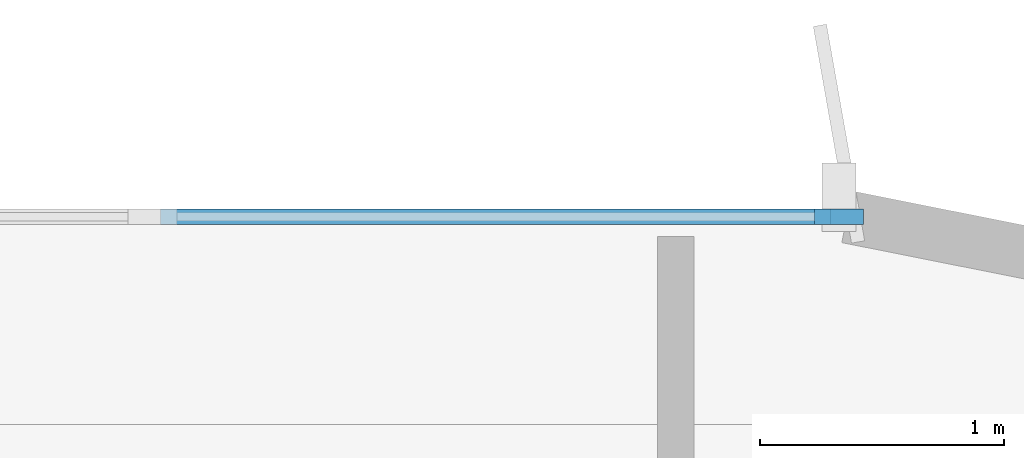
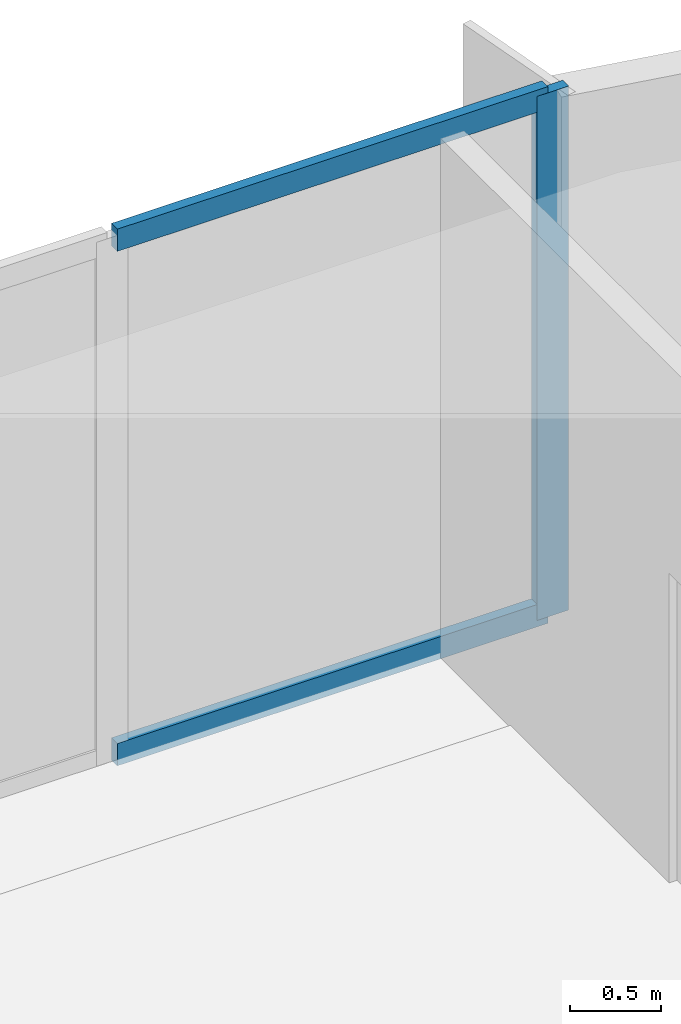
# One storey, part 8 of 19: 3 members, 1 element without a shape of its own.
"""IFC4 building model written with IfcOpenShell, lengths in metres."""

from ifc_helpers import new_model, si_unit, direction, frame, origin, origin_2d, place, context, subcontext, project, spatial, rectangle, extrude, source, transform, mapped, material, layer, layer_set, material_profile, profile_set, type_object, element, aggregate, save


model = new_model("IFC4")

# Units and contexts
model_context = context("Model", 3, precision=1e-05, world=origin(), true_north=direction((0.0, 1.0)))
body_context = subcontext(model_context, "Body", "Model", "MODEL_VIEW")
ifc_project = project(units=[si_unit("LENGTHUNIT", "METRE"), si_unit("AREAUNIT", "SQUARE_METRE"), si_unit("VOLUMEUNIT", "CUBIC_METRE"), si_unit("PLANEANGLEUNIT", "RADIAN"), si_unit("MASSUNIT", "GRAM", prefix="KILO")], contexts=[model_context])

# Site, building, storey
site_placement = place(None, origin())
site = spatial("IfcSite", under=ifc_project, at=site_placement, CompositionType="ELEMENT")
building_placement = place(site_placement, origin())
building = spatial("IfcBuilding", under=site, at=building_placement, Name="Brelvock Crest Care Tower", CompositionType="ELEMENT")
storey_placement = place(building_placement, frame((0.0, 0.0, 68.580078125)))
storey = spatial("IfcBuildingStorey", under=building, at=storey_placement, Name="L17", CompositionType="ELEMENT", Elevation=68.580078125)

# Curtain wall, members
ifc_material_1 = material(Name="Dark Glass Double Glazed Low-E", Category="glass")
ifc_layer = layer(ifc_material_1, 0.195068359375, Name="CWS-2")
ifc_layer_set = layer_set([ifc_layer], Name="Dark Glass Double Glazed Low-E")
curtain_wall_type = type_object("IfcCurtainWallType", Name="CWS-2", PredefinedType="NOTDEFINED", material=ifc_layer_set)
curtain_wall_placement = place(storey_placement, origin())
curtain_wall = element("IfcCurtainWall", 1, at=curtain_wall_placement, inside=storey, type_object=curtain_wall_type, Name="L17 Curtain Wall E30", PredefinedType="NOTDEFINED")
ifc_material_2 = material(Name="Aluminium 6063-T6", Category="aluminium")
ifc_material_profile_1 = material_profile(ifc_material_2, rectangle(XDim=0.06494140625, YDim=0.199951171875, at=origin_2d()), Name="ALU65x200")
ifc_profile_set_1 = profile_set([ifc_material_profile_1], Name="Aluminium 6063-T6")
member_type_1 = type_object("IfcMemberType", Name="CWM-1", PredefinedType="MULLION", material=ifc_profile_set_1)
shared_shape_1 = source(origin(), body_context, "Body", "SweptSolid", [
    extrude(rectangle(XDim=0.06494140625, YDim=0.199951171875, at=origin_2d()), origin(), (0.0, 0.0, 1.0), 3.530029296875),
])
member_1_placement = place(storey_placement, frame((56.767578125, 36.0, 0.0), z_axis=(0.0, 0.0, 1.0), x_axis=(0.0, 1.0, 0.0)))
member_1 = element("IfcMember", 2, at=member_1_placement, type_object=member_type_1, Name="CW-2 mullion 6", PredefinedType="MULLION", context=body_context, shape_type="MappedRepresentation", body=[
    mapped(shared_shape_1, transform((0.0, 0.0, 0.0), x_axis=(1.0, 0.0, 0.0), y_axis=(0.0, 1.0, 0.0), z_axis=(0.0, 0.0, 1.0), scale=1.0)),
])
ifc_material_profile_2 = material_profile(ifc_material_2, rectangle(XDim=0.06494140625, YDim=0.14990234375, at=origin_2d()), Name="ALU65x150")
ifc_profile_set_2 = profile_set([ifc_material_profile_2], Name="Aluminium 6063-T6")
member_type_2 = type_object("IfcMemberType", Name="CWT-1", PredefinedType="USERDEFINED", material=ifc_profile_set_2)
shared_shape_2 = source(origin(), body_context, "Body", "SweptSolid", [
    extrude(rectangle(XDim=0.06494140625, YDim=0.14990234375, at=origin_2d()), origin(), (0.0, 0.0, 1.0), 2.74267578125),
])
member_2_placement = place(storey_placement, frame((53.992431640625, 36.0, 0.032470703125), z_axis=(1.0, 0.0, 0.0), x_axis=(0.0, 1.0, 0.0)))
member_2 = element("IfcMember", 3, at=member_2_placement, type_object=member_type_2, Name="CW-2 transom 5.1", ObjectType="TRANSOM", PredefinedType="USERDEFINED", context=body_context, shape_type="MappedRepresentation", body=[
    mapped(shared_shape_2, transform((0.0, 0.0, 0.0), x_axis=(1.0, 0.0, 0.0), y_axis=(0.0, 1.0, 0.0), z_axis=(0.0, 0.0, 1.0), scale=1.0)),
])
member_3_placement = place(storey_placement, frame((53.992431640625, 36.0, 3.497314453125), z_axis=(1.0, 0.0, 0.0), x_axis=(0.0, 1.0, 0.0)))
member_3 = element("IfcMember", 4, at=member_3_placement, type_object=member_type_2, Name="CW-2 transom 5.2", ObjectType="TRANSOM", PredefinedType="USERDEFINED", context=body_context, shape_type="MappedRepresentation", body=[
    mapped(shared_shape_2, transform((0.0, 0.0, 0.0), x_axis=(1.0, 0.0, 0.0), y_axis=(0.0, 1.0, 0.0), z_axis=(0.0, 0.0, 1.0), scale=1.0)),
])
aggregate(curtain_wall, [member_1, member_2, member_3])

save(model, "model.ifc")
